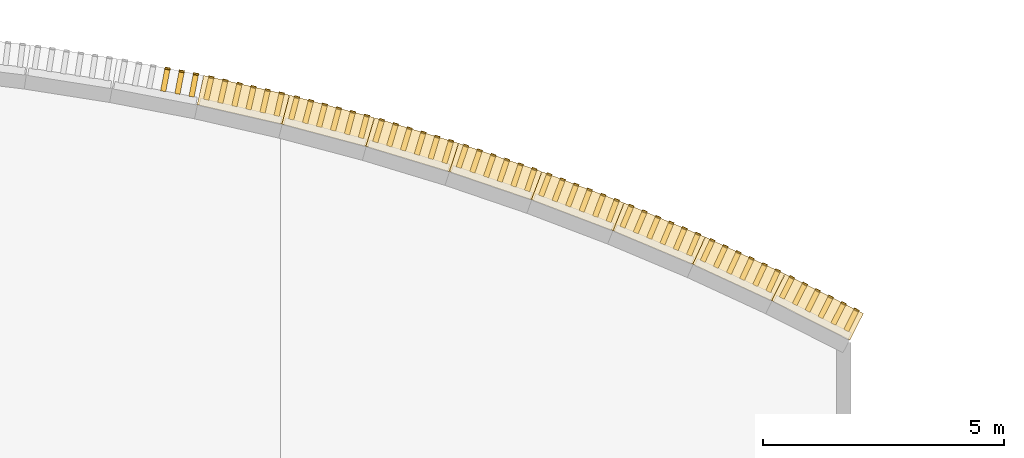
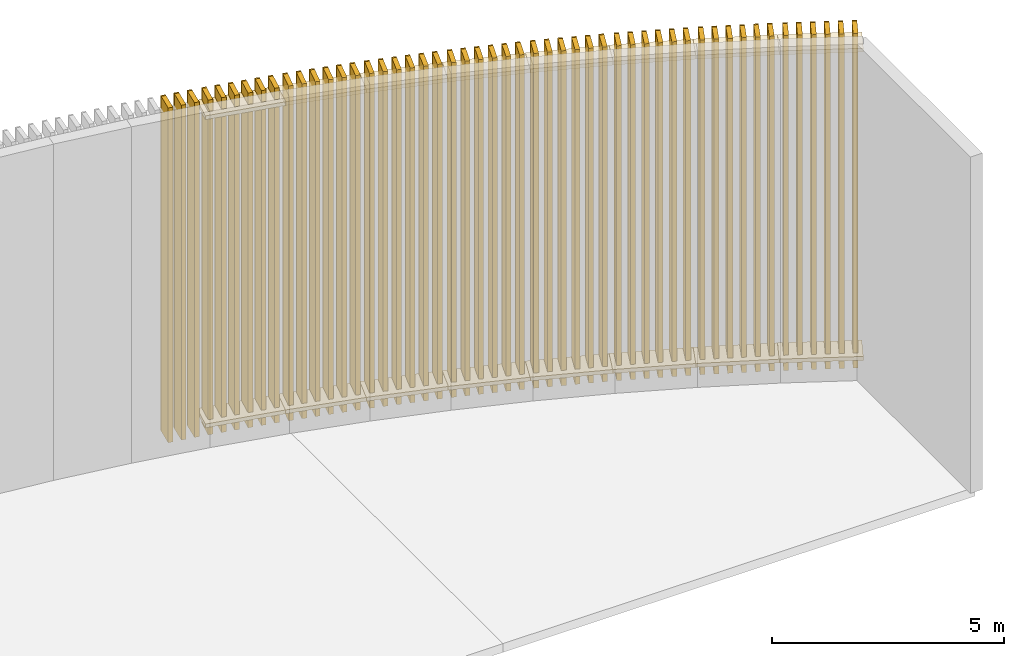
# One storey, part 32 of 32: 67 coverings, 51 shading devices.
"""IFC4 building model written with IfcOpenShell, lengths in metres."""

from ifc_helpers import new_model, si_unit, direction, frame, origin, origin_2d, place, context, subcontext, project, spatial, rectangle, extrude, material, layer, layer_set, type_object, element, save


model = new_model("IFC4")

# Units and contexts
model_context = context("Model", 3, precision=1e-05, world=origin(), true_north=direction((0.0, 1.0)))
body_context = subcontext(model_context, "Body", "Model", "MODEL_VIEW")
ifc_project = project(units=[si_unit("LENGTHUNIT", "METRE"), si_unit("AREAUNIT", "SQUARE_METRE"), si_unit("VOLUMEUNIT", "CUBIC_METRE"), si_unit("PLANEANGLEUNIT", "RADIAN"), si_unit("MASSUNIT", "GRAM", prefix="KILO")], contexts=[model_context])

# Site, building, storey
site_placement = place(None, origin())
site = spatial("IfcSite", under=ifc_project, at=site_placement, CompositionType="ELEMENT")
building_placement = place(site_placement, origin())
building = spatial("IfcBuilding", under=site, at=building_placement, Name="Sardonyx Promenade Sports Hall", CompositionType="ELEMENT")
storey_placement = place(building_placement, frame((0.0, 0.0, 20.39990234375)))
storey = spatial("IfcBuildingStorey", under=building, at=storey_placement, Name="L04", CompositionType="ELEMENT", Elevation=20.39990234375)

# Coverings
ifc_material_1 = material(Name="Glulam GL28h", Category="wood")
ifc_layer = layer(ifc_material_1, 0.110107421875)
ifc_layer_set = layer_set([ifc_layer], Name="Cov_Louvre_GL28h")
covering_type = type_object("IfcCoveringType", Name="Cov_Louvre_GL28h", PredefinedType="MOLDING", material=ifc_layer_set)
for number, where, z_axis, x_axis, name in (
    (1, (64.13232421875, 114.98046875, 0.02001953125), (0.0, 0.0, 1.0), (0.981929658139, -0.18924625879, 0.0), "Timber louvre nose molding L04 CH20 #4"),
    (2, (64.427001953125, 114.923583984375, 0.02001953125), (0.0, 0.0, 1.0), (0.981929658139, -0.18924625879, 0.0), "Timber louvre nose molding L04 CH20 #5"),
    (3, (64.721435546875, 114.866943359375, 0.02001953125), (0.0, 0.0, 1.0), (0.981929658139, -0.18924625879, 0.0), "Timber louvre nose molding L04 CH20 #6"),
):
    element("IfcCovering", number, at=place(storey_placement, frame(where, z_axis=z_axis, x_axis=x_axis)), inside=storey, type_object=covering_type, Name=name, PredefinedType="MOLDING", context=body_context, shape_type="SweptSolid", body=[
        extrude(rectangle(XDim=0.110107421875, YDim=0.0400390625, at=origin_2d()), origin(), (0.0, 0.0, 1.0), 8.81005859375),
    ])
for number, where, z_axis, x_axis, name in (
    (4, (65.702880859375, 114.330078125, 0.320068359375), (0.0, 0.0, 1.0), (0.974791577465, -0.223117414163, 0.0), "Bowed louvre carrier rail L04 CH21 #1"),
    (5, (65.702880859375, 114.330078125, 8.429931640625), (0.0, 0.0, 1.0), (0.974791577465, -0.223117414163, 0.0), "Bowed louvre carrier rail L04 CH21 #2"),
):
    element("IfcCovering", number, at=place(storey_placement, frame(where, z_axis=z_axis, x_axis=x_axis)), inside=storey, type_object=covering_type, Name=name, PredefinedType="MOLDING", context=body_context, shape_type="SweptSolid", body=[
        extrude(rectangle(XDim=1.820068359375, YDim=0.6201171875, at=origin_2d()), origin(), (0.0, 0.0, 1.0), 0.10009765625),
    ])
for number, where, z_axis, x_axis, name in (
    (6, (65.041015625, 114.799560546875, 0.02001953125), (0.0, 0.0, 1.0), (0.974791577465, -0.223117414163, 0.0), "Timber louvre nose molding L04 CH21 #1"),
    (7, (65.33349609375, 114.732666015625, 0.02001953125), (0.0, 0.0, 1.0), (0.974791577465, -0.223117414163, 0.0), "Timber louvre nose molding L04 CH21 #2"),
    (8, (65.6259765625, 114.66552734375, 0.02001953125), (0.0, 0.0, 1.0), (0.974791577465, -0.223117414163, 0.0), "Timber louvre nose molding L04 CH21 #3"),
    (9, (65.91845703125, 114.5986328125, 0.02001953125), (0.0, 0.0, 1.0), (0.974791577465, -0.223117414163, 0.0), "Timber louvre nose molding L04 CH21 #4"),
    (10, (66.2109375, 114.53173828125, 0.02001953125), (0.0, 0.0, 1.0), (0.974791577465, -0.223117414163, 0.0), "Timber louvre nose molding L04 CH21 #5"),
    (11, (66.503173828125, 114.46484375, 0.02001953125), (0.0, 0.0, 1.0), (0.974791577465, -0.223117414163, 0.0), "Timber louvre nose molding L04 CH21 #6"),
):
    element("IfcCovering", number, at=place(storey_placement, frame(where, z_axis=z_axis, x_axis=x_axis)), inside=storey, type_object=covering_type, Name=name, PredefinedType="MOLDING", context=body_context, shape_type="SweptSolid", body=[
        extrude(rectangle(XDim=0.110107421875, YDim=0.0400390625, at=origin_2d()), origin(), (0.0, 0.0, 1.0), 8.81005859375),
    ])
for number, where, z_axis, x_axis, name in (
    (12, (67.465576171875, 113.894287109375, 0.320068359375), (0.0, 0.0, 1.0), (0.966485494347, -0.256721228607, 0.0), "Bowed louvre carrier rail L04 CH22 #1"),
    (13, (67.465576171875, 113.894287109375, 8.429931640625), (0.0, 0.0, 1.0), (0.966485494347, -0.256721228607, 0.0), "Bowed louvre carrier rail L04 CH22 #2"),
):
    element("IfcCovering", number, at=place(storey_placement, frame(where, z_axis=z_axis, x_axis=x_axis)), inside=storey, type_object=covering_type, Name=name, PredefinedType="MOLDING", context=body_context, shape_type="SweptSolid", body=[
        extrude(rectangle(XDim=1.820068359375, YDim=0.6201171875, at=origin_2d()), origin(), (0.0, 0.0, 1.0), 0.10009765625),
    ])
for number, where, z_axis, x_axis, name in (
    (14, (66.8203125, 114.386474609375, 0.02001953125), (0.0, 0.0, 1.0), (0.966485494347, -0.256721228607, 0.0), "Timber louvre nose molding L04 CH22 #1"),
    (15, (67.1103515625, 114.309326171875, 0.02001953125), (0.0, 0.0, 1.0), (0.966485494347, -0.256721228607, 0.0), "Timber louvre nose molding L04 CH22 #2"),
    (16, (67.400146484375, 114.232421875, 0.02001953125), (0.0, 0.0, 1.0), (0.966485494347, -0.256721228607, 0.0), "Timber louvre nose molding L04 CH22 #3"),
    (17, (67.690185546875, 114.155517578125, 0.02001953125), (0.0, 0.0, 1.0), (0.966485494347, -0.256721228607, 0.0), "Timber louvre nose molding L04 CH22 #4"),
    (18, (67.980224609375, 114.078369140625, 0.02001953125), (0.0, 0.0, 1.0), (0.966485494347, -0.256721228607, 0.0), "Timber louvre nose molding L04 CH22 #5"),
    (19, (68.27001953125, 114.00146484375, 0.02001953125), (0.0, 0.0, 1.0), (0.966485494347, -0.256721228607, 0.0), "Timber louvre nose molding L04 CH22 #6"),
):
    element("IfcCovering", number, at=place(storey_placement, frame(where, z_axis=z_axis, x_axis=x_axis)), inside=storey, type_object=covering_type, Name=name, PredefinedType="MOLDING", context=body_context, shape_type="SweptSolid", body=[
        extrude(rectangle(XDim=0.110107421875, YDim=0.0400390625, at=origin_2d()), origin(), (0.0, 0.0, 1.0), 8.81005859375),
    ])
for number, where, z_axis, x_axis, name in (
    (20, (69.212158203125, 113.39794921875, 0.320068359375), (0.0, 0.0, 1.0), (0.957021361193, -0.290017437786, 0.0), "Bowed louvre carrier rail L04 CH23 #1"),
    (21, (69.212158203125, 113.39794921875, 8.429931640625), (0.0, 0.0, 1.0), (0.957021361193, -0.290017437786, 0.0), "Bowed louvre carrier rail L04 CH23 #2"),
):
    element("IfcCovering", number, at=place(storey_placement, frame(where, z_axis=z_axis, x_axis=x_axis)), inside=storey, type_object=covering_type, Name=name, PredefinedType="MOLDING", context=body_context, shape_type="SweptSolid", body=[
        extrude(rectangle(XDim=1.820068359375, YDim=0.6201171875, at=origin_2d()), origin(), (0.0, 0.0, 1.0), 0.10009765625),
    ])
for number, where, z_axis, x_axis, name in (
    (22, (68.584228515625, 113.912109375, 0.02001953125), (0.0, 0.0, 1.0), (0.957021361193, -0.290017437786, 0.0), "Timber louvre nose molding L04 CH23 #1"),
    (23, (68.871337890625, 113.824951171875, 0.02001953125), (0.0, 0.0, 1.0), (0.957021361193, -0.290017437786, 0.0), "Timber louvre nose molding L04 CH23 #2"),
    (24, (69.158447265625, 113.738037109375, 0.02001953125), (0.0, 0.0, 1.0), (0.957021361193, -0.290017437786, 0.0), "Timber louvre nose molding L04 CH23 #3"),
    (25, (69.445556640625, 113.651123046875, 0.02001953125), (0.0, 0.0, 1.0), (0.957021361193, -0.290017437786, 0.0), "Timber louvre nose molding L04 CH23 #4"),
    (26, (69.732666015625, 113.56396484375, 0.02001953125), (0.0, 0.0, 1.0), (0.957021361193, -0.290017437786, 0.0), "Timber louvre nose molding L04 CH23 #5"),
    (27, (70.019775390625, 113.47705078125, 0.02001953125), (0.0, 0.0, 1.0), (0.957021361193, -0.290017437786, 0.0), "Timber louvre nose molding L04 CH23 #6"),
):
    element("IfcCovering", number, at=place(storey_placement, frame(where, z_axis=z_axis, x_axis=x_axis)), inside=storey, type_object=covering_type, Name=name, PredefinedType="MOLDING", context=body_context, shape_type="SweptSolid", body=[
        extrude(rectangle(XDim=0.110107421875, YDim=0.0400390625, at=origin_2d()), origin(), (0.0, 0.0, 1.0), 8.81005859375),
    ])
for number, where, z_axis, x_axis, name in (
    (28, (70.9404296875, 112.84130859375, 0.320068359375), (0.0, 0.0, 1.0), (0.946410517999, -0.322966145935, 0.0), "Bowed louvre carrier rail L04 CH24 #1"),
    (29, (70.9404296875, 112.84130859375, 8.429931640625), (0.0, 0.0, 1.0), (0.946410517999, -0.322966145935, 0.0), "Bowed louvre carrier rail L04 CH24 #2"),
):
    element("IfcCovering", number, at=place(storey_placement, frame(where, z_axis=z_axis, x_axis=x_axis)), inside=storey, type_object=covering_type, Name=name, PredefinedType="MOLDING", context=body_context, shape_type="SweptSolid", body=[
        extrude(rectangle(XDim=1.820068359375, YDim=0.6201171875, at=origin_2d()), origin(), (0.0, 0.0, 1.0), 0.10009765625),
    ])
for number, where, z_axis, x_axis, name in (
    (30, (70.33056640625, 113.376953125, 0.02001953125), (0.0, 0.0, 1.0), (0.946410517999, -0.322966145935, 0.0), "Timber louvre nose molding L04 CH24 #1"),
    (31, (70.614501953125, 113.280029296875, 0.02001953125), (0.0, 0.0, 1.0), (0.946410517999, -0.322966145935, 0.0), "Timber louvre nose molding L04 CH24 #2"),
    (32, (70.8984375, 113.18310546875, 0.02001953125), (0.0, 0.0, 1.0), (0.946410517999, -0.322966145935, 0.0), "Timber louvre nose molding L04 CH24 #3"),
    (33, (71.182373046875, 113.086181640625, 0.02001953125), (0.0, 0.0, 1.0), (0.946410517999, -0.322966145935, 0.0), "Timber louvre nose molding L04 CH24 #4"),
    (34, (71.46630859375, 112.9892578125, 0.02001953125), (0.0, 0.0, 1.0), (0.946410517999, -0.322966145935, 0.0), "Timber louvre nose molding L04 CH24 #5"),
    (35, (71.750244140625, 112.892578125, 0.02001953125), (0.0, 0.0, 1.0), (0.946410517999, -0.322966145935, 0.0), "Timber louvre nose molding L04 CH24 #6"),
):
    element("IfcCovering", number, at=place(storey_placement, frame(where, z_axis=z_axis, x_axis=x_axis)), inside=storey, type_object=covering_type, Name=name, PredefinedType="MOLDING", context=body_context, shape_type="SweptSolid", body=[
        extrude(rectangle(XDim=0.110107421875, YDim=0.0400390625, at=origin_2d()), origin(), (0.0, 0.0, 1.0), 8.81005859375),
    ])
for number, where, z_axis, x_axis, name in (
    (36, (72.648193359375, 112.225341796875, 0.320068359375), (0.0, 0.0, 1.0), (0.934665678755, -0.355527873671, 0.0), "Bowed louvre carrier rail L04 CH25 #1"),
    (37, (72.648193359375, 112.225341796875, 8.429931640625), (0.0, 0.0, 1.0), (0.934665678755, -0.355527873671, 0.0), "Bowed louvre carrier rail L04 CH25 #2"),
):
    element("IfcCovering", number, at=place(storey_placement, frame(where, z_axis=z_axis, x_axis=x_axis)), inside=storey, type_object=covering_type, Name=name, PredefinedType="MOLDING", context=body_context, shape_type="SweptSolid", body=[
        extrude(rectangle(XDim=1.820068359375, YDim=0.6201171875, at=origin_2d()), origin(), (0.0, 0.0, 1.0), 0.10009765625),
    ])
for number, where, z_axis, x_axis, name in (
    (38, (72.057373046875, 112.78173828125, 0.02001953125), (0.0, 0.0, 1.0), (0.934665678755, -0.355527873671, 0.0), "Timber louvre nose molding L04 CH25 #1"),
    (39, (72.337890625, 112.675048828125, 0.02001953125), (0.0, 0.0, 1.0), (0.934665678755, -0.355527873671, 0.0), "Timber louvre nose molding L04 CH25 #2"),
    (40, (72.6181640625, 112.568359375, 0.02001953125), (0.0, 0.0, 1.0), (0.934665678755, -0.355527873671, 0.0), "Timber louvre nose molding L04 CH25 #3"),
    (41, (72.898681640625, 112.461669921875, 0.02001953125), (0.0, 0.0, 1.0), (0.934665678755, -0.355527873671, 0.0), "Timber louvre nose molding L04 CH25 #4"),
    (42, (73.17919921875, 112.35498046875, 0.02001953125), (0.0, 0.0, 1.0), (0.934665678755, -0.355527873671, 0.0), "Timber louvre nose molding L04 CH25 #5"),
    (43, (73.45947265625, 112.248291015625, 0.02001953125), (0.0, 0.0, 1.0), (0.934665678755, -0.355527873671, 0.0), "Timber louvre nose molding L04 CH25 #6"),
):
    element("IfcCovering", number, at=place(storey_placement, frame(where, z_axis=z_axis, x_axis=x_axis)), inside=storey, type_object=covering_type, Name=name, PredefinedType="MOLDING", context=body_context, shape_type="SweptSolid", body=[
        extrude(rectangle(XDim=0.110107421875, YDim=0.0400390625, at=origin_2d()), origin(), (0.0, 0.0, 1.0), 8.81005859375),
    ])
for number, where, z_axis, x_axis, name in (
    (44, (74.333984375, 111.550537109375, 0.320068359375), (0.0, 0.0, 1.0), (0.921800239612, -0.387665214136, 0.0), "Bowed louvre carrier rail L04 CH26 #1"),
    (45, (74.333984375, 111.550537109375, 8.429931640625), (0.0, 0.0, 1.0), (0.921800239612, -0.387665214136, 0.0), "Bowed louvre carrier rail L04 CH26 #2"),
):
    element("IfcCovering", number, at=place(storey_placement, frame(where, z_axis=z_axis, x_axis=x_axis)), inside=storey, type_object=covering_type, Name=name, PredefinedType="MOLDING", context=body_context, shape_type="SweptSolid", body=[
        extrude(rectangle(XDim=1.820068359375, YDim=0.6201171875, at=origin_2d()), origin(), (0.0, 0.0, 1.0), 0.10009765625),
    ])
for number, where, z_axis, x_axis, name in (
    (46, (73.7626953125, 112.126953125, 0.02001953125), (0.0, 0.0, 1.0), (0.921800239612, -0.387665214136, 0.0), "Timber louvre nose molding L04 CH26 #1"),
    (47, (74.039306640625, 112.0107421875, 0.02001953125), (0.0, 0.0, 1.0), (0.921800239612, -0.387665214136, 0.0), "Timber louvre nose molding L04 CH26 #2"),
    (48, (74.315673828125, 111.894287109375, 0.02001953125), (0.0, 0.0, 1.0), (0.921800239612, -0.387665214136, 0.0), "Timber louvre nose molding L04 CH26 #3"),
    (49, (74.59228515625, 111.778076171875, 0.02001953125), (0.0, 0.0, 1.0), (0.921800239612, -0.387665214136, 0.0), "Timber louvre nose molding L04 CH26 #4"),
    (50, (74.868896484375, 111.661865234375, 0.02001953125), (0.0, 0.0, 1.0), (0.921800239612, -0.387665214136, 0.0), "Timber louvre nose molding L04 CH26 #5"),
    (51, (75.1455078125, 111.54541015625, 0.02001953125), (0.0, 0.0, 1.0), (0.921800239612, -0.387665214136, 0.0), "Timber louvre nose molding L04 CH26 #6"),
):
    element("IfcCovering", number, at=place(storey_placement, frame(where, z_axis=z_axis, x_axis=x_axis)), inside=storey, type_object=covering_type, Name=name, PredefinedType="MOLDING", context=body_context, shape_type="SweptSolid", body=[
        extrude(rectangle(XDim=0.110107421875, YDim=0.0400390625, at=origin_2d()), origin(), (0.0, 0.0, 1.0), 8.81005859375),
    ])
for number, where, z_axis, x_axis, name in (
    (52, (75.9951171875, 110.817626953125, 0.320068359375), (0.0, 0.0, 1.0), (0.90783091315, -0.419336419989, 0.0), "Bowed louvre carrier rail L04 CH27 #1"),
    (53, (75.9951171875, 110.817626953125, 8.429931640625), (0.0, 0.0, 1.0), (0.90783091315, -0.419336419989, 0.0), "Bowed louvre carrier rail L04 CH27 #2"),
):
    element("IfcCovering", number, at=place(storey_placement, frame(where, z_axis=z_axis, x_axis=x_axis)), inside=storey, type_object=covering_type, Name=name, PredefinedType="MOLDING", context=body_context, shape_type="SweptSolid", body=[
        extrude(rectangle(XDim=1.820068359375, YDim=0.6201171875, at=origin_2d()), origin(), (0.0, 0.0, 1.0), 0.10009765625),
    ])
for number, where, z_axis, x_axis, name in (
    (54, (75.4443359375, 111.41357421875, 0.02001953125), (0.0, 0.0, 1.0), (0.90783091315, -0.419336419989, 0.0), "Timber louvre nose molding L04 CH27 #1"),
    (55, (75.716552734375, 111.287841796875, 0.02001953125), (0.0, 0.0, 1.0), (0.90783091315, -0.419336419989, 0.0), "Timber louvre nose molding L04 CH27 #2"),
    (56, (75.989013671875, 111.162109375, 0.02001953125), (0.0, 0.0, 1.0), (0.90783091315, -0.419336419989, 0.0), "Timber louvre nose molding L04 CH27 #3"),
    (57, (76.26123046875, 111.036376953125, 0.02001953125), (0.0, 0.0, 1.0), (0.90783091315, -0.419336419989, 0.0), "Timber louvre nose molding L04 CH27 #4"),
    (58, (76.53369140625, 110.910400390625, 0.02001953125), (0.0, 0.0, 1.0), (0.90783091315, -0.419336419989, 0.0), "Timber louvre nose molding L04 CH27 #5"),
    (59, (76.805908203125, 110.78466796875, 0.02001953125), (0.0, 0.0, 1.0), (0.90783091315, -0.419336419989, 0.0), "Timber louvre nose molding L04 CH27 #6"),
):
    element("IfcCovering", number, at=place(storey_placement, frame(where, z_axis=z_axis, x_axis=x_axis)), inside=storey, type_object=covering_type, Name=name, PredefinedType="MOLDING", context=body_context, shape_type="SweptSolid", body=[
        extrude(rectangle(XDim=0.110107421875, YDim=0.0400390625, at=origin_2d()), origin(), (0.0, 0.0, 1.0), 8.81005859375),
    ])
for number, where, z_axis, x_axis, name in (
    (60, (77.6298828125, 110.028076171875, 0.320068359375), (0.0, 0.0, 1.0), (0.892773817004, -0.450505173857, 0.0), "Bowed louvre carrier rail L04 CH28 #1"),
    (61, (77.6298828125, 110.028076171875, 8.429931640625), (0.0, 0.0, 1.0), (0.892773817004, -0.450505173857, 0.0), "Bowed louvre carrier rail L04 CH28 #2"),
):
    element("IfcCovering", number, at=place(storey_placement, frame(where, z_axis=z_axis, x_axis=x_axis)), inside=storey, type_object=covering_type, Name=name, PredefinedType="MOLDING", context=body_context, shape_type="SweptSolid", body=[
        extrude(rectangle(XDim=1.820068359375, YDim=0.6201171875, at=origin_2d()), origin(), (0.0, 0.0, 1.0), 0.10009765625),
    ])
for number, where, z_axis, x_axis, name in (
    (62, (77.10009765625, 110.642578125, 0.02001953125), (0.0, 0.0, 1.0), (0.892773817004, -0.450505173857, 0.0), "Timber louvre nose molding L04 CH28 #1"),
    (63, (77.367919921875, 110.507568359375, 0.02001953125), (0.0, 0.0, 1.0), (0.892773817004, -0.450505173857, 0.0), "Timber louvre nose molding L04 CH28 #2"),
    (64, (77.6357421875, 110.372314453125, 0.02001953125), (0.0, 0.0, 1.0), (0.892773817004, -0.450505173857, 0.0), "Timber louvre nose molding L04 CH28 #3"),
    (65, (77.903564453125, 110.237060546875, 0.02001953125), (0.0, 0.0, 1.0), (0.892773817004, -0.450505173857, 0.0), "Timber louvre nose molding L04 CH28 #4"),
    (66, (78.17138671875, 110.10205078125, 0.02001953125), (0.0, 0.0, 1.0), (0.892773817004, -0.450505173857, 0.0), "Timber louvre nose molding L04 CH28 #5"),
    (67, (78.439208984375, 109.966796875, 0.02001953125), (0.0, 0.0, 1.0), (0.892773817004, -0.450505173857, 0.0), "Timber louvre nose molding L04 CH28 #6"),
):
    element("IfcCovering", number, at=place(storey_placement, frame(where, z_axis=z_axis, x_axis=x_axis)), inside=storey, type_object=covering_type, Name=name, PredefinedType="MOLDING", context=body_context, shape_type="SweptSolid", body=[
        extrude(rectangle(XDim=0.110107421875, YDim=0.0400390625, at=origin_2d()), origin(), (0.0, 0.0, 1.0), 8.81005859375),
    ])

# Shading devices
ifc_material_2 = material(Name="Glulam GL28h", Category="wood")
shading_device_type = type_object("IfcShadingDeviceType", Name="Shade_Louvre_GL28h", PredefinedType="USERDEFINED", material=ifc_material_2)
for number, where, z_axis, x_axis, name in (
    (68, (64.085011, 114.734914, 0.020098), (0.0, 0.0, 1.0), (0.98192966, -0.18924626, 0.0), "Timber louvre TL01 L04 CH20 #4"),
    (69, (64.37959, 114.67814, 0.020098), (0.0, 0.0, 1.0), (0.98192966, -0.18924626, 0.0), "Timber louvre TL01 L04 CH20 #5"),
    (70, (64.674169, 114.621366, 0.020098), (0.0, 0.0, 1.0), (0.98192966, -0.18924626, 0.0), "Timber louvre TL01 L04 CH20 #6"),
    (71, (64.98529, 114.5558, 0.020098), (0.0, 0.0, 1.0), (0.97479158, -0.22311741, 0.0), "Timber louvre TL01 L04 CH21 #1"),
    (72, (65.277727, 114.488865, 0.020098), (0.0, 0.0, 1.0), (0.97479158, -0.22311741, 0.0), "Timber louvre TL01 L04 CH21 #2"),
    (73, (65.570165, 114.42193, 0.020098), (0.0, 0.0, 1.0), (0.97479158, -0.22311741, 0.0), "Timber louvre TL01 L04 CH21 #3"),
    (74, (65.862602, 114.354995, 0.020098), (0.0, 0.0, 1.0), (0.97479158, -0.22311741, 0.0), "Timber louvre TL01 L04 CH21 #4"),
    (75, (66.15504, 114.288059, 0.020098), (0.0, 0.0, 1.0), (0.97479158, -0.22311741, 0.0), "Timber louvre TL01 L04 CH21 #5"),
    (76, (66.447477, 114.221124, 0.020098), (0.0, 0.0, 1.0), (0.97479158, -0.22311741, 0.0), "Timber louvre TL01 L04 CH21 #6"),
    (77, (66.756143, 114.144829, 0.020098), (0.0, 0.0, 1.0), (0.96648549, -0.25672123, 0.0), "Timber louvre TL01 L04 CH22 #1"),
    (78, (67.046089, 114.067813, 0.020098), (0.0, 0.0, 1.0), (0.96648549, -0.25672123, 0.0), "Timber louvre TL01 L04 CH22 #2"),
    (79, (67.336034, 113.990796, 0.020098), (0.0, 0.0, 1.0), (0.96648549, -0.25672123, 0.0), "Timber louvre TL01 L04 CH22 #3"),
    (80, (67.62598, 113.91378, 0.020098), (0.0, 0.0, 1.0), (0.96648549, -0.25672123, 0.0), "Timber louvre TL01 L04 CH22 #4"),
    (81, (67.915926, 113.836763, 0.020098), (0.0, 0.0, 1.0), (0.96648549, -0.25672123, 0.0), "Timber louvre TL01 L04 CH22 #5"),
    (82, (68.205871, 113.759747, 0.020098), (0.0, 0.0, 1.0), (0.96648549, -0.25672123, 0.0), "Timber louvre TL01 L04 CH22 #6"),
    (83, (68.511711, 113.672814, 0.020098), (0.0, 0.0, 1.0), (0.95702136, -0.29001744, 0.0), "Timber louvre TL01 L04 CH23 #1"),
    (84, (68.798818, 113.585809, 0.020098), (0.0, 0.0, 1.0), (0.95702136, -0.29001744, 0.0), "Timber louvre TL01 L04 CH23 #2"),
    (85, (69.085924, 113.498804, 0.020098), (0.0, 0.0, 1.0), (0.95702136, -0.29001744, 0.0), "Timber louvre TL01 L04 CH23 #3"),
    (86, (69.373031, 113.411798, 0.020098), (0.0, 0.0, 1.0), (0.95702136, -0.29001744, 0.0), "Timber louvre TL01 L04 CH23 #4"),
    (87, (69.660137, 113.324793, 0.020098), (0.0, 0.0, 1.0), (0.95702136, -0.29001744, 0.0), "Timber louvre TL01 L04 CH23 #5"),
    (88, (69.947243, 113.237788, 0.020098), (0.0, 0.0, 1.0), (0.95702136, -0.29001744, 0.0), "Timber louvre TL01 L04 CH23 #6"),
    (89, (70.249891, 113.140322, 0.020098), (0.0, 0.0, 1.0), (0.94641052, -0.32296615, 0.0), "Timber louvre TL01 L04 CH24 #1"),
    (90, (70.533814, 113.043432, 0.020098), (0.0, 0.0, 1.0), (0.94641052, -0.32296615, 0.0), "Timber louvre TL01 L04 CH24 #2"),
    (91, (70.817737, 112.946542, 0.020098), (0.0, 0.0, 1.0), (0.94641052, -0.32296615, 0.0), "Timber louvre TL01 L04 CH24 #3"),
    (92, (71.101661, 112.849652, 0.020098), (0.0, 0.0, 1.0), (0.94641052, -0.32296615, 0.0), "Timber louvre TL01 L04 CH24 #4"),
    (93, (71.385584, 112.752762, 0.020098), (0.0, 0.0, 1.0), (0.94641052, -0.32296615, 0.0), "Timber louvre TL01 L04 CH24 #5"),
    (94, (71.669507, 112.655872, 0.020098), (0.0, 0.0, 1.0), (0.94641052, -0.32296615, 0.0), "Timber louvre TL01 L04 CH24 #6"),
    (95, (71.9686, 112.547991, 0.020098), (0.0, 0.0, 1.0), (0.93466568, -0.35552787, 0.0), "Timber louvre TL01 L04 CH25 #1"),
    (96, (72.248999, 112.441332, 0.020098), (0.0, 0.0, 1.0), (0.93466568, -0.35552787, 0.0), "Timber louvre TL01 L04 CH25 #2"),
    (97, (72.529399, 112.334674, 0.020098), (0.0, 0.0, 1.0), (0.93466568, -0.35552787, 0.0), "Timber louvre TL01 L04 CH25 #3"),
    (98, (72.809799, 112.228015, 0.020098), (0.0, 0.0, 1.0), (0.93466568, -0.35552787, 0.0), "Timber louvre TL01 L04 CH25 #4"),
    (99, (73.090198, 112.121357, 0.020098), (0.0, 0.0, 1.0), (0.93466568, -0.35552787, 0.0), "Timber louvre TL01 L04 CH25 #5"),
    (100, (73.370598, 112.014698, 0.020098), (0.0, 0.0, 1.0), (0.93466568, -0.35552787, 0.0), "Timber louvre TL01 L04 CH25 #6"),
    (101, (73.665779, 111.896529, 0.020098), (0.0, 0.0, 1.0), (0.92180024, -0.38766521, 0.0), "Timber louvre TL01 L04 CH26 #1"),
    (102, (73.942319, 111.78023, 0.020098), (0.0, 0.0, 1.0), (0.92180024, -0.38766521, 0.0), "Timber louvre TL01 L04 CH26 #2"),
    (103, (74.218859, 111.66393, 0.020098), (0.0, 0.0, 1.0), (0.92180024, -0.38766521, 0.0), "Timber louvre TL01 L04 CH26 #3"),
    (104, (74.495399, 111.547631, 0.020098), (0.0, 0.0, 1.0), (0.92180024, -0.38766521, 0.0), "Timber louvre TL01 L04 CH26 #4"),
    (105, (74.771939, 111.431332, 0.020098), (0.0, 0.0, 1.0), (0.92180024, -0.38766521, 0.0), "Timber louvre TL01 L04 CH26 #5"),
    (106, (75.048479, 111.315032, 0.020098), (0.0, 0.0, 1.0), (0.92180024, -0.38766521, 0.0), "Timber louvre TL01 L04 CH26 #6"),
    (107, (75.339393, 111.186718, 0.020098), (0.0, 0.0, 1.0), (0.90783091, -0.41933642, 0.0), "Timber louvre TL01 L04 CH27 #1"),
    (108, (75.611743, 111.060917, 0.020098), (0.0, 0.0, 1.0), (0.90783091, -0.41933642, 0.0), "Timber louvre TL01 L04 CH27 #2"),
    (109, (75.884092, 110.935116, 0.020098), (0.0, 0.0, 1.0), (0.90783091, -0.41933642, 0.0), "Timber louvre TL01 L04 CH27 #3"),
    (110, (76.156441, 110.809315, 0.020098), (0.0, 0.0, 1.0), (0.90783091, -0.41933642, 0.0), "Timber louvre TL01 L04 CH27 #4"),
    (111, (76.428791, 110.683514, 0.020098), (0.0, 0.0, 1.0), (0.90783091, -0.41933642, 0.0), "Timber louvre TL01 L04 CH27 #5"),
    (112, (76.70114, 110.557714, 0.020098), (0.0, 0.0, 1.0), (0.90783091, -0.41933642, 0.0), "Timber louvre TL01 L04 CH27 #6"),
    (113, (76.987439, 110.419408, 0.020098), (0.0, 0.0, 1.0), (0.89277382, -0.45050517, 0.0), "Timber louvre TL01 L04 CH28 #1"),
    (114, (77.255271, 110.284256, 0.020098), (0.0, 0.0, 1.0), (0.89277382, -0.45050517, 0.0), "Timber louvre TL01 L04 CH28 #2"),
    (115, (77.523103, 110.149105, 0.020098), (0.0, 0.0, 1.0), (0.89277382, -0.45050517, 0.0), "Timber louvre TL01 L04 CH28 #3"),
    (116, (77.790935, 110.013953, 0.020098), (0.0, 0.0, 1.0), (0.89277382, -0.45050517, 0.0), "Timber louvre TL01 L04 CH28 #4"),
    (117, (78.058767, 109.878802, 0.020098), (0.0, 0.0, 1.0), (0.89277382, -0.45050517, 0.0), "Timber louvre TL01 L04 CH28 #5"),
    (118, (78.3266, 109.74365, 0.020098), (0.0, 0.0, 1.0), (0.89277382, -0.45050517, 0.0), "Timber louvre TL01 L04 CH28 #6"),
):
    element("IfcShadingDevice", number, at=place(storey_placement, frame(where, z_axis=z_axis, x_axis=x_axis)), inside=storey, type_object=shading_device_type, material=ifc_material_2, Name=name, ObjectType="LOUVRE", PredefinedType="USERDEFINED", context=body_context, shape_type="SweptSolid", body=[
        extrude(rectangle(XDim=0.11, YDim=0.46), origin(), (0.0, 0.0, 1.0), 8.81),
    ])

save(model, "model.ifc")
